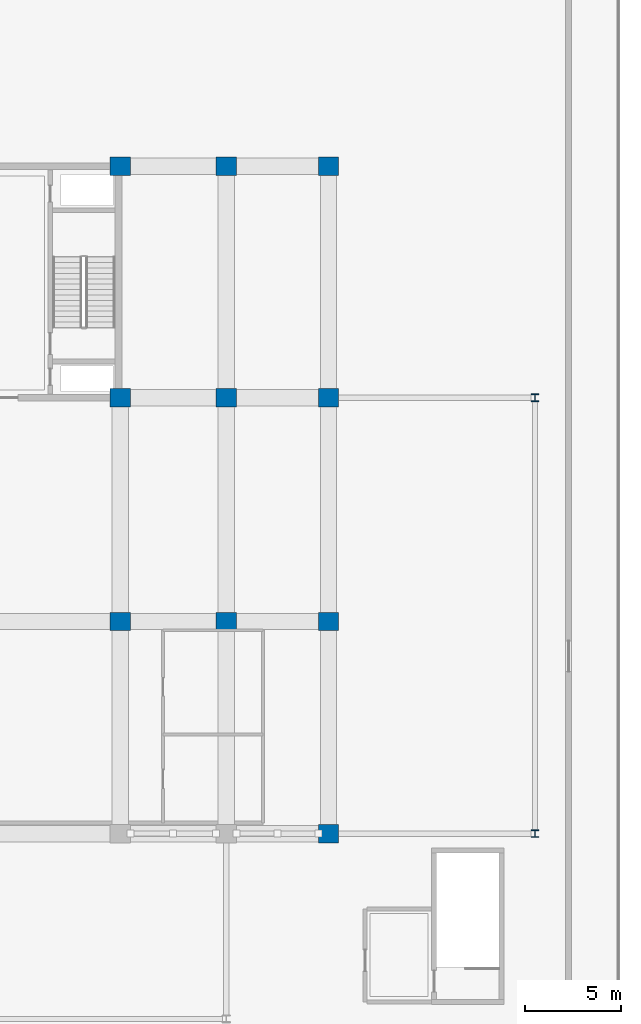
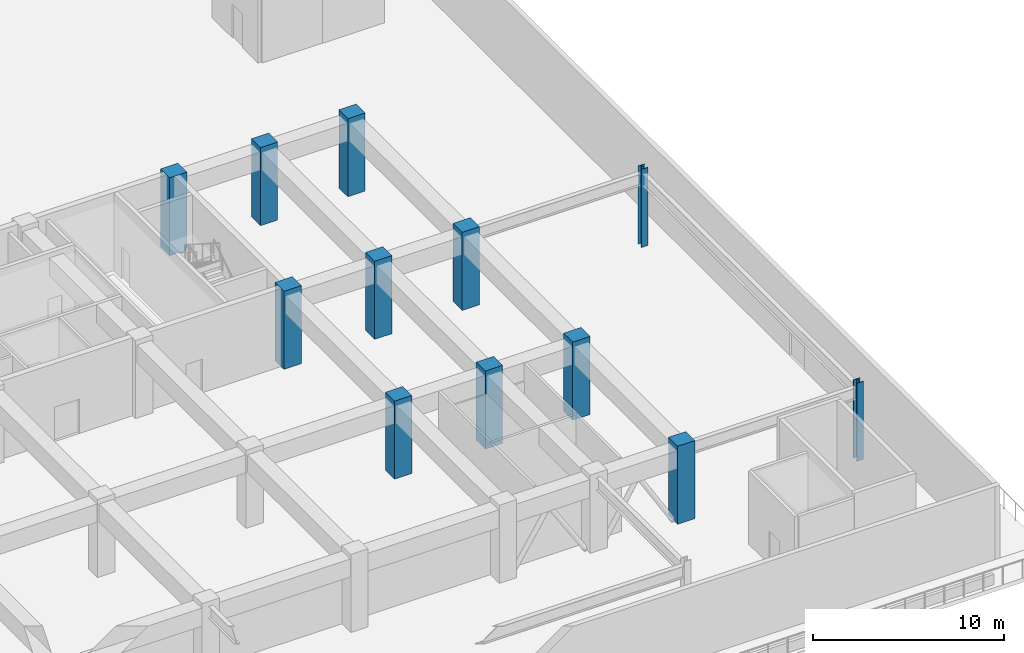
# One storey, part 3 of 38: 12 columns.
"""IFC4 building model written with IfcOpenShell, lengths in metres."""

from ifc_helpers import new_model, si_unit, direction, frame, origin, origin_2d, place, context, subcontext, project, spatial, rectangle, i_section, extrude, material, material_profile, profile_set, type_object, element, save


model = new_model("IFC4")

# Units and contexts
model_context = context("Model", 3, precision=1e-05, world=origin(), true_north=direction((0.0, 1.0)))
body_context = subcontext(model_context, "Body", "Model", "MODEL_VIEW")
ifc_project = project(units=[si_unit("LENGTHUNIT", "METRE"), si_unit("AREAUNIT", "SQUARE_METRE"), si_unit("VOLUMEUNIT", "CUBIC_METRE"), si_unit("PLANEANGLEUNIT", "RADIAN"), si_unit("MASSUNIT", "GRAM", prefix="KILO")], contexts=[model_context])

# Site, building, storey
site_placement = place(None, origin())
site = spatial("IfcSite", under=ifc_project, at=site_placement, CompositionType="ELEMENT")
building_placement = place(site_placement, origin())
building = spatial("IfcBuilding", under=site, at=building_placement, Name="Korimba Cascade Residences", CompositionType="ELEMENT")
storey_placement = place(building_placement, frame((0.0, 0.0, 19.0)))
storey = spatial("IfcBuildingStorey", under=building, at=storey_placement, Name="L04", CompositionType="ELEMENT", Elevation=19.0)

# Columns
ifc_material_1 = material(Name="Concrete C80/95", Category="concrete")
ifc_material_profile_1 = material_profile(ifc_material_1, rectangle(XDim=1.050048828125, YDim=0.949951171875, at=origin_2d()), Name="Concrete C80/95")
ifc_profile_set_1 = profile_set([ifc_material_profile_1], Name="Concrete C80/95")
column_type_1 = type_object("IfcColumnType", Name="COL-RC-1050", PredefinedType="COLUMN", material=ifc_profile_set_1)
for number, where, z_axis, x_axis, name in (
    (1, (118.10009765625, 6.800048828125, 0.0), (0.0, 0.0, 1.0), (1.0, 0.0, 0.0), "L04 Tower 2 Column 6.2"),
    (2, (118.10009765625, 18.39990234375, 0.0), (0.0, 0.0, 1.0), (1.0, 0.0, 0.0), "L04 Tower 2 Column 6.3"),
    (3, (118.10009765625, 30.39990234375, 0.0), (0.0, 0.0, 1.0), (1.0, 0.0, 0.0), "L04 Tower 2 Column 6.4"),
    (4, (123.60009765625, 6.800048828125, 0.0), (0.0, 0.0, 1.0), (1.0, 0.0, 0.0), "L04 Tower 2 Column 7.2"),
    (5, (123.60009765625, 18.39990234375, 0.0), (0.0, 0.0, 1.0), (1.0, 0.0, 0.0), "L04 Tower 2 Column 7.3"),
    (6, (123.60009765625, 30.39990234375, 0.0), (0.0, 0.0, 1.0), (1.0, 0.0, 0.0), "L04 Tower 2 Column 7.4"),
    (7, (128.89990234375, -4.199951171875, 0.0), (0.0, 0.0, 1.0), (1.0, 0.0, 0.0), "L04 Tower 2 Column 8.1"),
    (8, (128.89990234375, 6.800048828125, 0.0), (0.0, 0.0, 1.0), (1.0, 0.0, 0.0), "L04 Tower 2 Column 8.2"),
    (9, (128.89990234375, 18.39990234375, 0.0), (0.0, 0.0, 1.0), (1.0, 0.0, 0.0), "L04 Tower 2 Column 8.3"),
    (10, (128.89990234375, 30.39990234375, 0.0), (0.0, 0.0, 1.0), (1.0, 0.0, 0.0), "L04 Tower 2 Column 8.4"),
):
    element("IfcColumn", number, at=place(storey_placement, frame(where, z_axis=z_axis, x_axis=x_axis)), inside=storey, type_object=column_type_1, Name=name, PredefinedType="COLUMN", context=body_context, shape_type="SweptSolid", body=[
        extrude(rectangle(XDim=1.050048828125, YDim=0.949951171875, at=origin_2d()), origin(), (0.0, 0.0, 1.0), 5.0),
    ])
ifc_material_2 = material(Name="Steel S355", Category="steel")
ifc_material_profile_2 = material_profile(ifc_material_2, i_section(OverallWidth=0.39892578125, OverallDepth=0.3935546875, WebThickness=0.022705078125, FlangeThickness=0.03662109375, FilletRadius=0.01513671875, at=origin_2d()), Name="Steel S355")
ifc_profile_set_2 = profile_set([ifc_material_profile_2], Name="Steel S355")
column_type_2 = type_object("IfcColumnType", Name="COL-STL-UC287", PredefinedType="COLUMN", material=ifc_profile_set_2)
for number, where, z_axis, x_axis, name in (
    (11, (139.60009765625, -4.199951171875, 0.0), (0.0, 0.0, 1.0), (1.0, 0.0, 0.0), "L04 Podium Column PCE1"),
    (12, (139.60009765625, 18.39990234375, 0.0), (0.0, 0.0, 1.0), (1.0, 0.0, 0.0), "L04 Podium Column PCE2"),
):
    element("IfcColumn", number, at=place(storey_placement, frame(where, z_axis=z_axis, x_axis=x_axis)), inside=storey, type_object=column_type_2, Name=name, PredefinedType="COLUMN", context=body_context, shape_type="SweptSolid", body=[
        extrude(i_section(OverallWidth=0.39892578125, OverallDepth=0.3935546875, WebThickness=0.022705078125, FlangeThickness=0.03662109375, FilletRadius=0.01513671875, at=origin_2d()), origin(), (0.0, 0.0, 1.0), 5.0),
    ])

save(model, "model.ifc")
